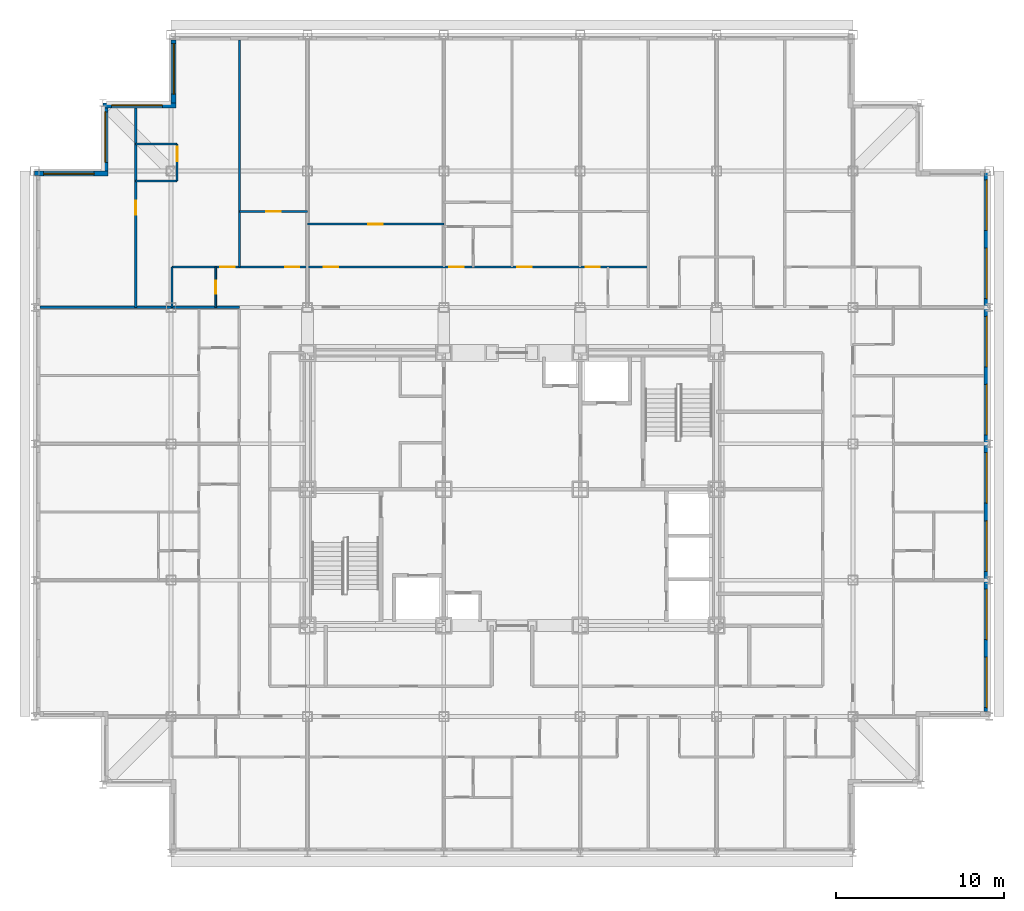
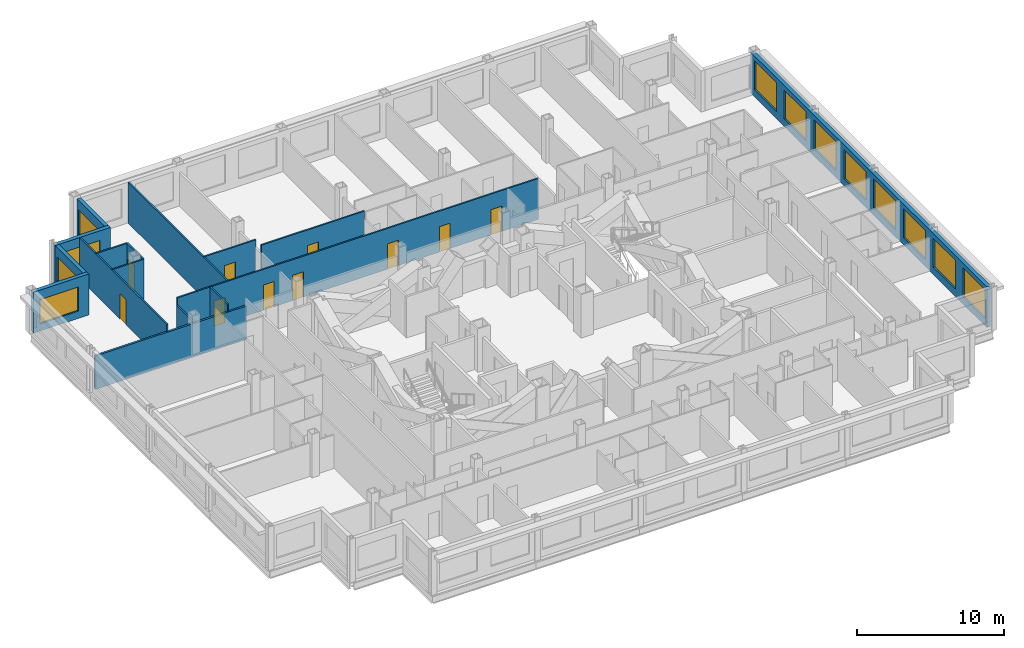
# One storey, part 9 of 12: 16 walls, 12 windows, 11 doors, 23 openings.
"""IFC4 building model written with IfcOpenShell, lengths in metres."""

from ifc_helpers import new_model, si_unit, direction, frame, frame_2d, origin, place, context, subcontext, project, spatial, rectangle, extrude, material, layer, layer_set, type_object, element, fill, save


model = new_model("IFC4")

# Units and contexts
model_context = context("Model", 3, precision=1e-05, world=origin(), true_north=direction((0.0, 1.0)))
body_context = subcontext(model_context, "Body", "Model", "MODEL_VIEW")
ifc_project = project(units=[si_unit("LENGTHUNIT", "METRE"), si_unit("AREAUNIT", "SQUARE_METRE"), si_unit("VOLUMEUNIT", "CUBIC_METRE"), si_unit("PLANEANGLEUNIT", "RADIAN"), si_unit("MASSUNIT", "GRAM", prefix="KILO")], contexts=[model_context])

# Site, building, storey
site_placement = place(None, origin())
site = spatial("IfcSite", under=ifc_project, at=site_placement, CompositionType="ELEMENT")
building_placement = place(site_placement, origin())
building = spatial("IfcBuilding", under=site, at=building_placement, Name="Kopane Lantern Tower", CompositionType="ELEMENT")
storey_placement = place(building_placement, frame((0.0, 0.0, 213.60009765625)))
storey = spatial("IfcBuildingStorey", under=building, at=storey_placement, Name="L55", CompositionType="ELEMENT", Elevation=213.60009765625)

# Wall, openings, doors
ifc_material_1 = material(Name="Gypsum board on steel studs", Category="steel")
ifc_layer_1 = layer(ifc_material_1, 0.1201171875)
ifc_layer_set_1 = layer_set([ifc_layer_1], Name="APARTMENT INTERNAL WALL 120")
wall_type_1 = type_object("IfcWallType", Name="APARTMENT INTERNAL WALL 120", PredefinedType="PARTITIONING", material=ifc_layer_set_1)
wall_1_placement = place(storey_placement, frame((8.14990234375, 45.60009765625, 0.0), z_axis=(0.0, 0.0, 1.0), x_axis=(1.0, 0.0, 0.0)))
wall_1 = element("IfcWall", 1, at=wall_1_placement, inside=storey, type_object=wall_type_1, Name="Apartment Internal Wall 120 L55", PredefinedType="PARTITIONING", context=body_context, shape_type="SweptSolid", body=[
    extrude(rectangle(XDim=28.300048828125, YDim=0.1201171875, at=frame_2d((14.14990234375, 0.0))), origin(), (0.0, 0.0, 1.0), 3.389892578125),
])
opening_1_placement = place(wall_1_placement, frame((9.02490234375, 0.0, 0.0)))
opening_1 = element("IfcOpeningElement", 2, at=opening_1_placement, cuts=wall_1, Name="Opening L55-026", PredefinedType="OPENING", context=body_context, shape_type="SweptSolid", body=[
    extrude(rectangle(XDim=0.85009765625, YDim=2.10009765625, at=frame_2d((0.425048828125, 1.050048828125))), frame((0.0, 0.070068359375, 0.0), z_axis=(0.0, -1.0, 0.0), x_axis=(1.0, 0.0, 0.0)), (0.0, 0.0, 1.0), 0.14013671875),
])
opening_2_placement = place(wall_1_placement, frame((16.47509765625, 0.0, 0.0)))
opening_2 = element("IfcOpeningElement", 3, at=opening_2_placement, cuts=wall_1, Name="Opening L55-028", PredefinedType="OPENING", context=body_context, shape_type="SweptSolid", body=[
    extrude(rectangle(XDim=0.85009765625, YDim=2.10009765625, at=frame_2d((0.425048828125, 1.050048828125))), frame((0.0, 0.070068359375, 0.0), z_axis=(0.0, -1.0, 0.0), x_axis=(1.0, 0.0, 0.0)), (0.0, 0.0, 1.0), 0.14013671875),
])
opening_3_placement = place(wall_1_placement, frame((20.52490234375, 0.0, 0.0)))
opening_3 = element("IfcOpeningElement", 4, at=opening_3_placement, cuts=wall_1, Name="Opening L55-029", PredefinedType="OPENING", context=body_context, shape_type="SweptSolid", body=[
    extrude(rectangle(XDim=0.85009765625, YDim=2.10009765625, at=frame_2d((0.425048828125, 1.050048828125))), frame((0.0, 0.070068359375, 0.0), z_axis=(0.0, -1.0, 0.0), x_axis=(1.0, 0.0, 0.0)), (0.0, 0.0, 1.0), 0.14013671875),
])
opening_4_placement = place(wall_1_placement, frame((24.574951171875, 0.0, 0.0)))
opening_4 = element("IfcOpeningElement", 5, at=opening_4_placement, cuts=wall_1, Name="Opening L55-030", PredefinedType="OPENING", context=body_context, shape_type="SweptSolid", body=[
    extrude(rectangle(XDim=0.85009765625, YDim=2.10009765625, at=frame_2d((0.425048828125, 1.050048828125))), frame((0.0, 0.070068359375, 0.0), z_axis=(0.0, -1.0, 0.0), x_axis=(1.0, 0.0, 0.0)), (0.0, 0.0, 1.0), 0.14013671875),
])
opening_5_placement = place(wall_1_placement, frame((6.72509765625, 0.0, 0.0)))
opening_5 = element("IfcOpeningElement", 6, at=opening_5_placement, cuts=wall_1, Name="Opening L55-066", PredefinedType="OPENING", context=body_context, shape_type="SweptSolid", body=[
    extrude(rectangle(XDim=0.85009765625, YDim=2.10009765625, at=frame_2d((0.425048828125, 1.050048828125))), frame((0.0, 0.070068359375, 0.0), z_axis=(0.0, -1.0, 0.0), x_axis=(1.0, 0.0, 0.0)), (0.0, 0.0, 1.0), 0.14013671875),
])
opening_6_placement = place(wall_1_placement, frame((2.875, 0.0, 0.0)))
opening_6 = element("IfcOpeningElement", 7, at=opening_6_placement, cuts=wall_1, Name="Opening L55-068", PredefinedType="OPENING", context=body_context, shape_type="SweptSolid", body=[
    extrude(rectangle(XDim=0.85009765625, YDim=2.10009765625, at=frame_2d((0.425048828125, 1.050048828125))), frame((0.0, 0.070068359375, 0.0), z_axis=(0.0, -1.0, 0.0), x_axis=(1.0, 0.0, 0.0)), (0.0, 0.0, 1.0), 0.14013671875),
])
ifc_material_2 = material(Name="Timber door set", Category="wood")
door_type_1 = type_object("IfcDoorType", Name="DOOR D4 850x2100", OperationType="SINGLE_SWING_LEFT", PredefinedType="DOOR", material=ifc_material_2)
door_1_placement = place(opening_1_placement, origin())
door_1 = element("IfcDoor", 8, at=door_1_placement, inside=storey, type_object=door_type_1, Name="Door L55-026", OperationType="SINGLE_SWING_LEFT", OverallHeight=2.10009765625, OverallWidth=0.85009765625, PredefinedType="DOOR", context=body_context, shape_type="SweptSolid", body=[
    extrude(rectangle(XDim=0.85009765625, YDim=2.10009765625, at=frame_2d((0.425048828125, 1.050048828125))), frame((0.0, 0.02490234375, 0.0), z_axis=(0.0, -1.0, 0.0), x_axis=(1.0, 0.0, 0.0)), (0.0, 0.0, 1.0), 0.050048828125),
])
fill(opening_1, door_1)
door_2_placement = place(opening_2_placement, origin())
door_2 = element("IfcDoor", 9, at=door_2_placement, inside=storey, type_object=door_type_1, Name="Door L55-028", OperationType="SINGLE_SWING_LEFT", OverallHeight=2.10009765625, OverallWidth=0.85009765625, PredefinedType="DOOR", context=body_context, shape_type="SweptSolid", body=[
    extrude(rectangle(XDim=0.85009765625, YDim=2.10009765625, at=frame_2d((0.425048828125, 1.050048828125))), frame((0.0, 0.02490234375, 0.0), z_axis=(0.0, -1.0, 0.0), x_axis=(1.0, 0.0, 0.0)), (0.0, 0.0, 1.0), 0.050048828125),
])
fill(opening_2, door_2)
door_3_placement = place(opening_3_placement, origin())
door_3 = element("IfcDoor", 10, at=door_3_placement, inside=storey, type_object=door_type_1, Name="Door L55-029", OperationType="SINGLE_SWING_LEFT", OverallHeight=2.10009765625, OverallWidth=0.85009765625, PredefinedType="DOOR", context=body_context, shape_type="SweptSolid", body=[
    extrude(rectangle(XDim=0.85009765625, YDim=2.10009765625, at=frame_2d((0.425048828125, 1.050048828125))), frame((0.0, 0.02490234375, 0.0), z_axis=(0.0, -1.0, 0.0), x_axis=(1.0, 0.0, 0.0)), (0.0, 0.0, 1.0), 0.050048828125),
])
fill(opening_3, door_3)
door_4_placement = place(opening_4_placement, origin())
door_4 = element("IfcDoor", 11, at=door_4_placement, inside=storey, type_object=door_type_1, Name="Door L55-030", OperationType="SINGLE_SWING_LEFT", OverallHeight=2.10009765625, OverallWidth=0.85009765625, PredefinedType="DOOR", context=body_context, shape_type="SweptSolid", body=[
    extrude(rectangle(XDim=0.85009765625, YDim=2.10009765625, at=frame_2d((0.425048828125, 1.050048828125))), frame((0.0, 0.02490234375, 0.0), z_axis=(0.0, -1.0, 0.0), x_axis=(1.0, 0.0, 0.0)), (0.0, 0.0, 1.0), 0.050048828125),
])
fill(opening_4, door_4)
door_5_placement = place(opening_5_placement, origin())
door_5 = element("IfcDoor", 12, at=door_5_placement, inside=storey, type_object=door_type_1, Name="Door L55-066", OperationType="SINGLE_SWING_LEFT", OverallHeight=2.10009765625, OverallWidth=0.85009765625, PredefinedType="DOOR", context=body_context, shape_type="SweptSolid", body=[
    extrude(rectangle(XDim=0.85009765625, YDim=2.10009765625, at=frame_2d((0.425048828125, 1.050048828125))), frame((0.0, 0.02490234375, 0.0), z_axis=(0.0, -1.0, 0.0), x_axis=(1.0, 0.0, 0.0)), (0.0, 0.0, 1.0), 0.050048828125),
])
fill(opening_5, door_5)
door_6_placement = place(opening_6_placement, origin())
door_6 = element("IfcDoor", 13, at=door_6_placement, inside=storey, type_object=door_type_1, Name="Door L55-068", OperationType="SINGLE_SWING_RIGHT", OverallHeight=2.10009765625, OverallWidth=0.85009765625, PredefinedType="DOOR", context=body_context, shape_type="SweptSolid", body=[
    extrude(rectangle(XDim=0.85009765625, YDim=2.10009765625, at=frame_2d((0.425048828125, 1.050048828125))), frame((0.0, 0.02490234375, 0.0), z_axis=(0.0, -1.0, 0.0), x_axis=(1.0, 0.0, 0.0)), (0.0, 0.0, 1.0), 0.050048828125),
])
fill(opening_6, door_6)

# Wall
wall_2_placement = place(storey_placement, frame((12.14990234375, 45.60009765625, 0.0), z_axis=(0.0, 0.0, 1.0), x_axis=(0.0, 1.0, 0.0)))
element("IfcWall", 14, at=wall_2_placement, inside=storey, type_object=wall_type_1, Name="Apartment Internal Wall 120 L55", PredefinedType="PARTITIONING", context=body_context, shape_type="SweptSolid", body=[
    extrude(rectangle(XDim=13.5, YDim=0.1201171875, at=frame_2d((6.75, 0.0))), origin(), (0.0, 0.0, 1.0), 3.389892578125),
])

# Wall, opening, door
wall_3_placement = place(storey_placement, frame((16.199951171875, 48.14990234375, 0.0), z_axis=(0.0, 0.0, 1.0), x_axis=(1.0, 0.0, 0.0)))
wall_3 = element("IfcWall", 15, at=wall_3_placement, inside=storey, type_object=wall_type_1, Name="Apartment Internal Wall 120 L55", PredefinedType="PARTITIONING", context=body_context, shape_type="SweptSolid", body=[
    extrude(rectangle(XDim=8.10009765625, YDim=0.1201171875, at=frame_2d((4.050048828125, 0.0))), origin(), (0.0, 0.0, 1.0), 3.389892578125),
])
opening_7_placement = place(wall_3_placement, frame((3.625, 0.0, 0.0)))
opening_7 = element("IfcOpeningElement", 16, at=opening_7_placement, cuts=wall_3, Name="Opening L55-073", PredefinedType="OPENING", context=body_context, shape_type="SweptSolid", body=[
    extrude(rectangle(XDim=0.85009765625, YDim=2.10009765625, at=frame_2d((0.425048828125, 1.050048828125))), frame((0.0, 0.070068359375, 0.0), z_axis=(0.0, -1.0, 0.0), x_axis=(1.0, 0.0, 0.0)), (0.0, 0.0, 1.0), 0.14013671875),
])
door_7_placement = place(opening_7_placement, origin())
door_7 = element("IfcDoor", 17, at=door_7_placement, inside=storey, type_object=door_type_1, Name="Door L55-073", OperationType="SINGLE_SWING_LEFT", OverallHeight=2.10009765625, OverallWidth=0.85009765625, PredefinedType="DOOR", context=body_context, shape_type="SweptSolid", body=[
    extrude(rectangle(XDim=0.85009765625, YDim=2.10009765625, at=frame_2d((0.425048828125, 1.050048828125))), frame((0.0, 0.02490234375, 0.0), z_axis=(0.0, -1.0, 0.0), x_axis=(1.0, 0.0, 0.0)), (0.0, 0.0, 1.0), 0.050048828125),
])
fill(opening_7, door_7)

wall_4_placement = place(storey_placement, frame((12.14990234375, 48.89990234375, 0.0), z_axis=(0.0, 0.0, 1.0), x_axis=(1.0, 0.0, 0.0)))
wall_4 = element("IfcWall", 18, at=wall_4_placement, inside=storey, type_object=wall_type_1, Name="Apartment Internal Wall 120 L55", PredefinedType="PARTITIONING", context=body_context, shape_type="SweptSolid", body=[
    extrude(rectangle(XDim=4.050048828125, YDim=0.1201171875, at=frame_2d((2.02490234375, 0.0))), origin(), (0.0, 0.0, 1.0), 3.389892578125),
])
opening_8_placement = place(wall_4_placement, frame((1.60009765625, 0.0, 0.0)))
opening_8 = element("IfcOpeningElement", 19, at=opening_8_placement, cuts=wall_4, Name="Opening L55-078", PredefinedType="OPENING", context=body_context, shape_type="SweptSolid", body=[
    extrude(rectangle(XDim=0.85009765625, YDim=2.10009765625, at=frame_2d((0.425048828125, 1.050048828125))), frame((0.0, 0.070068359375, 0.0), z_axis=(0.0, -1.0, 0.0), x_axis=(1.0, 0.0, 0.0)), (0.0, 0.0, 1.0), 0.14013671875),
])
door_8_placement = place(opening_8_placement, origin())
door_8 = element("IfcDoor", 20, at=door_8_placement, inside=storey, type_object=door_type_1, Name="Door L55-078", OperationType="SINGLE_SWING_RIGHT", OverallHeight=2.10009765625, OverallWidth=0.85009765625, PredefinedType="DOOR", context=body_context, shape_type="SweptSolid", body=[
    extrude(rectangle(XDim=0.85009765625, YDim=2.10009765625, at=frame_2d((0.425048828125, 1.050048828125))), frame((0.0, 0.02490234375, 0.0), z_axis=(0.0, -1.0, 0.0), x_axis=(1.0, 0.0, 0.0)), (0.0, 0.0, 1.0), 0.050048828125),
])
fill(opening_8, door_8)

wall_5_placement = place(storey_placement, frame((6.0, 43.199951171875, 0.0), z_axis=(0.0, 0.0, 1.0), x_axis=(0.0, 1.0, 0.0)))
wall_5 = element("IfcWall", 21, at=wall_5_placement, inside=storey, type_object=wall_type_1, Name="Apartment Internal Wall 120 L55", PredefinedType="PARTITIONING", context=body_context, shape_type="SweptSolid", body=[
    extrude(rectangle(XDim=11.85009765625, YDim=0.1201171875, at=frame_2d((5.925048828125, 0.0))), origin(), (0.0, 0.0, 1.0), 3.389892578125),
])
opening_9_placement = place(wall_5_placement, frame((5.5, 0.0, 0.0)))
opening_9 = element("IfcOpeningElement", 22, at=opening_9_placement, cuts=wall_5, Name="Opening L55-079", PredefinedType="OPENING", context=body_context, shape_type="SweptSolid", body=[
    extrude(rectangle(XDim=0.85009765625, YDim=2.10009765625, at=frame_2d((0.425048828125, 1.050048828125))), frame((0.0, 0.070068359375, 0.0), z_axis=(0.0, -1.0, 0.0), x_axis=(1.0, 0.0, 0.0)), (0.0, 0.0, 1.0), 0.14013671875),
])
door_9_placement = place(opening_9_placement, origin())
door_9 = element("IfcDoor", 23, at=door_9_placement, inside=storey, type_object=door_type_1, Name="Door L55-079", OperationType="SINGLE_SWING_LEFT", OverallHeight=2.10009765625, OverallWidth=0.85009765625, PredefinedType="DOOR", context=body_context, shape_type="SweptSolid", body=[
    extrude(rectangle(XDim=0.85009765625, YDim=2.10009765625, at=frame_2d((0.425048828125, 1.050048828125))), frame((0.0, 0.02490234375, 0.0), z_axis=(0.0, -1.0, 0.0), x_axis=(1.0, 0.0, 0.0)), (0.0, 0.0, 1.0), 0.050048828125),
])
fill(opening_9, door_9)

# Walls
for number, where, z_axis, x_axis, name in (
    (24, (6.0, 50.699951171875, 0.0), (0.0, 0.0, 1.0), (1.0, 0.0, 0.0), "Apartment Internal Wall 120 L55"),
    (25, (6.0, 52.89990234375, 0.0), (0.0, 0.0, 1.0), (1.0, 0.0, 0.0), "Apartment Internal Wall 120 L55"),
):
    element("IfcWall", number, at=place(storey_placement, frame(where, z_axis=z_axis, x_axis=x_axis)), inside=storey, type_object=wall_type_1, Name=name, PredefinedType="PARTITIONING", context=body_context, shape_type="SweptSolid", body=[
        extrude(rectangle(XDim=2.4599609375, YDim=0.1201171875, at=frame_2d((1.22998046875, 0.0))), origin(), (0.0, 0.0, 1.0), 3.389892578125),
    ])

# Wall, opening, door
wall_6_placement = place(storey_placement, frame((8.4599609375, 50.699951171875, 0.0), z_axis=(0.0, 0.0, 1.0), x_axis=(0.0, 1.0, 0.0)))
wall_6 = element("IfcWall", 26, at=wall_6_placement, inside=storey, type_object=wall_type_1, Name="Apartment Internal Wall 120 L55", PredefinedType="PARTITIONING", context=body_context, shape_type="SweptSolid", body=[
    extrude(rectangle(XDim=2.199951171875, YDim=0.1201171875, at=frame_2d((1.10009765625, 0.0))), origin(), (0.0, 0.0, 1.0), 3.389892578125),
])
opening_10_placement = place(wall_6_placement, frame((1.18994140625, 0.0, 0.0)))
opening_10 = element("IfcOpeningElement", 27, at=opening_10_placement, cuts=wall_6, Name="Opening L55-080", PredefinedType="OPENING", context=body_context, shape_type="SweptSolid", body=[
    extrude(rectangle(XDim=0.85009765625, YDim=2.10009765625, at=frame_2d((0.425048828125, 1.050048828125))), frame((0.0, 0.070068359375, 0.0), z_axis=(0.0, -1.0, 0.0), x_axis=(1.0, 0.0, 0.0)), (0.0, 0.0, 1.0), 0.14013671875),
])
door_10_placement = place(opening_10_placement, origin())
door_10 = element("IfcDoor", 28, at=door_10_placement, inside=storey, type_object=door_type_1, Name="Door L55-080", OperationType="SINGLE_SWING_RIGHT", OverallHeight=2.10009765625, OverallWidth=0.85009765625, PredefinedType="DOOR", context=body_context, shape_type="SweptSolid", body=[
    extrude(rectangle(XDim=0.85009765625, YDim=2.10009765625, at=frame_2d((0.425048828125, 1.050048828125))), frame((0.0, 0.02490234375, 0.0), z_axis=(0.0, -1.0, 0.0), x_axis=(1.0, 0.0, 0.0)), (0.0, 0.0, 1.0), 0.050048828125),
])
fill(opening_10, door_10)

ifc_material_3 = material(Name="Moisture-resistant board on steel studs", Category="steel")
ifc_layer_2 = layer(ifc_material_3, 0.10009765625)
ifc_layer_set_2 = layer_set([ifc_layer_2], Name="BATHROOM WALL 100")
wall_type_2 = type_object("IfcWallType", Name="BATHROOM WALL 100", PredefinedType="PARTITIONING", material=ifc_layer_set_2)
wall_7_placement = place(storey_placement, frame((10.75, 43.199951171875, 0.0), z_axis=(0.0, 0.0, 1.0), x_axis=(0.0, 1.0, 0.0)))
wall_7 = element("IfcWall", 29, at=wall_7_placement, inside=storey, type_object=wall_type_2, Name="Bathroom Wall 100 L55", PredefinedType="PARTITIONING", context=body_context, shape_type="SweptSolid", body=[
    extrude(rectangle(XDim=2.400146484375, YDim=0.10009765625, at=frame_2d((1.2001953125, 0.0))), origin(), (0.0, 0.0, 1.0), 3.389892578125),
])
opening_11_placement = place(wall_7_placement, frame((0.800048828125, 0.0, 0.0)))
opening_11 = element("IfcOpeningElement", 30, at=opening_11_placement, cuts=wall_7, Name="Opening L55-067", PredefinedType="OPENING", context=body_context, shape_type="SweptSolid", body=[
    extrude(rectangle(XDim=0.800048828125, YDim=2.10009765625, at=frame_2d((0.39990234375, 1.050048828125))), frame((0.0, 0.06005859375, 0.0), z_axis=(0.0, -1.0, 0.0), x_axis=(1.0, 0.0, 0.0)), (0.0, 0.0, 1.0), 0.1201171875),
])
ifc_material_4 = material(Name="Timber door set", Category="wood")
door_type_2 = type_object("IfcDoorType", Name="DOOR D2 800x2100", OperationType="SINGLE_SWING_LEFT", PredefinedType="DOOR", material=ifc_material_4)
door_11_placement = place(opening_11_placement, origin())
door_11 = element("IfcDoor", 31, at=door_11_placement, inside=storey, type_object=door_type_2, Name="Door L55-067", OperationType="SINGLE_SWING_LEFT", OverallHeight=2.10009765625, OverallWidth=0.800048828125, PredefinedType="DOOR", context=body_context, shape_type="SweptSolid", body=[
    extrude(rectangle(XDim=0.800048828125, YDim=2.10009765625, at=frame_2d((0.39990234375, 1.050048828125))), frame((0.0, 0.02490234375, 0.0), z_axis=(0.0, -1.0, 0.0), x_axis=(1.0, 0.0, 0.0)), (0.0, 0.0, 1.0), 0.050048828125),
])
fill(opening_11, door_11)

# Walls
wall_8_placement = place(storey_placement, frame((8.14990234375, 43.199951171875, 0.0), z_axis=(0.0, 0.0, 1.0), x_axis=(0.0, 1.0, 0.0)))
element("IfcWall", 32, at=wall_8_placement, inside=storey, type_object=wall_type_2, Name="Bathroom Wall 100 L55", PredefinedType="PARTITIONING", context=body_context, shape_type="SweptSolid", body=[
    extrude(rectangle(XDim=2.400146484375, YDim=0.10009765625, at=frame_2d((1.2001953125, 0.0))), origin(), (0.0, 0.0, 1.0), 2.777587890625),
])
ifc_material_5 = material(Name="Gypsum board on steel studs", Category="steel")
ifc_layer_3 = layer(ifc_material_5, 0.14990234375)
ifc_layer_set_3 = layer_set([ifc_layer_3], Name="DEMISING WALL 150 EI 60")
wall_type_3 = type_object("IfcWallType", Name="DEMISING WALL 150 EI 60", PredefinedType="PARTITIONING", material=ifc_layer_set_3)
wall_9_placement = place(storey_placement, frame((0.300048828125, 43.199951171875, 0.0), z_axis=(0.0, 0.0, 1.0), x_axis=(1.0, 0.0, 0.0)))
element("IfcWall", 33, at=wall_9_placement, inside=storey, type_object=wall_type_3, Name="Demising Wall 150 Ei 60 L55", PredefinedType="PARTITIONING", context=body_context, shape_type="SweptSolid", body=[
    extrude(rectangle(XDim=11.849853515625, YDim=0.14990234375, at=frame_2d((5.9248046875, 0.0))), origin(), (0.0, 0.0, 1.0), 2.777587890625),
])

# Wall, openings, windows
ifc_material_6 = material(Name="Terracotta rainscreen on light steel framing", Category="masonry")
ifc_layer_4 = layer(ifc_material_6, 0.300048828125)
ifc_layer_set_4 = layer_set([ifc_layer_4], Name="EXTERNAL WALL EW1 300 TERRACOTTA")
wall_type_4 = type_object("IfcWallType", Name="EXTERNAL WALL EW1 300 TERRACOTTA", PredefinedType="SOLIDWALL", material=ifc_layer_set_4)
wall_10_placement = place(storey_placement, frame((56.550048828125, 19.199951171875, 0.0), z_axis=(0.0, 0.0, 1.0), x_axis=(0.0, 1.0, 0.0)))
wall_10 = element("IfcWall", 34, at=wall_10_placement, inside=storey, type_object=wall_type_4, Name="External wall E L55", PredefinedType="SOLIDWALL", context=body_context, shape_type="SweptSolid", body=[
    extrude(rectangle(XDim=32.10009765625, YDim=0.300048828125, at=frame_2d((16.050048828125, 0.0))), origin(), (0.0, 0.0, 1.0), 3.389892578125),
])
opening_12_placement = place(wall_10_placement, frame((0.22509765625, 0.0, 0.60009765625)))
opening_12 = element("IfcOpeningElement", 35, at=opening_12_placement, cuts=wall_10, Name="Opening WR300240", PredefinedType="OPENING", context=body_context, shape_type="SweptSolid", body=[
    extrude(rectangle(XDim=3.0, YDim=2.39990234375, at=frame_2d((1.5, 1.199951171875))), frame((0.0, 0.159912109375, 0.0), z_axis=(0.0, -1.0, 0.0), x_axis=(1.0, 0.0, 0.0)), (0.0, 0.0, 1.0), 0.320068359375),
])
opening_13_placement = place(wall_10_placement, frame((4.27490234375, 0.0, 0.60009765625)))
opening_13 = element("IfcOpeningElement", 36, at=opening_13_placement, cuts=wall_10, Name="Opening WR300240", PredefinedType="OPENING", context=body_context, shape_type="SweptSolid", body=[
    extrude(rectangle(XDim=3.0, YDim=2.39990234375, at=frame_2d((1.5, 1.199951171875))), frame((0.0, 0.159912109375, 0.0), z_axis=(0.0, -1.0, 0.0), x_axis=(1.0, 0.0, 0.0)), (0.0, 0.0, 1.0), 0.320068359375),
])
opening_14_placement = place(wall_10_placement, frame((8.324951171875, 0.0, 0.60009765625)))
opening_14 = element("IfcOpeningElement", 37, at=opening_14_placement, cuts=wall_10, Name="Opening WR300240", PredefinedType="OPENING", context=body_context, shape_type="SweptSolid", body=[
    extrude(rectangle(XDim=3.0, YDim=2.39990234375, at=frame_2d((1.5, 1.199951171875))), frame((0.0, 0.159912109375, 0.0), z_axis=(0.0, -1.0, 0.0), x_axis=(1.0, 0.0, 0.0)), (0.0, 0.0, 1.0), 0.320068359375),
])
opening_15_placement = place(wall_10_placement, frame((12.375, 0.0, 0.60009765625)))
opening_15 = element("IfcOpeningElement", 38, at=opening_15_placement, cuts=wall_10, Name="Opening WR300240", PredefinedType="OPENING", context=body_context, shape_type="SweptSolid", body=[
    extrude(rectangle(XDim=3.0, YDim=2.39990234375, at=frame_2d((1.5, 1.199951171875))), frame((0.0, 0.159912109375, 0.0), z_axis=(0.0, -1.0, 0.0), x_axis=(1.0, 0.0, 0.0)), (0.0, 0.0, 1.0), 0.320068359375),
])
opening_16_placement = place(wall_10_placement, frame((16.425048828125, 0.0, 0.60009765625)))
opening_16 = element("IfcOpeningElement", 39, at=opening_16_placement, cuts=wall_10, Name="Opening WR300240", PredefinedType="OPENING", context=body_context, shape_type="SweptSolid", body=[
    extrude(rectangle(XDim=3.0, YDim=2.39990234375, at=frame_2d((1.5, 1.199951171875))), frame((0.0, 0.159912109375, 0.0), z_axis=(0.0, -1.0, 0.0), x_axis=(1.0, 0.0, 0.0)), (0.0, 0.0, 1.0), 0.320068359375),
])
opening_17_placement = place(wall_10_placement, frame((20.47509765625, 0.0, 0.60009765625)))
opening_17 = element("IfcOpeningElement", 40, at=opening_17_placement, cuts=wall_10, Name="Opening WR300240", PredefinedType="OPENING", context=body_context, shape_type="SweptSolid", body=[
    extrude(rectangle(XDim=3.0, YDim=2.39990234375, at=frame_2d((1.5, 1.199951171875))), frame((0.0, 0.159912109375, 0.0), z_axis=(0.0, -1.0, 0.0), x_axis=(1.0, 0.0, 0.0)), (0.0, 0.0, 1.0), 0.320068359375),
])
opening_18_placement = place(wall_10_placement, frame((24.52490234375, 0.0, 0.60009765625)))
opening_18 = element("IfcOpeningElement", 41, at=opening_18_placement, cuts=wall_10, Name="Opening WR300240", PredefinedType="OPENING", context=body_context, shape_type="SweptSolid", body=[
    extrude(rectangle(XDim=3.0, YDim=2.39990234375, at=frame_2d((1.5, 1.199951171875))), frame((0.0, 0.159912109375, 0.0), z_axis=(0.0, -1.0, 0.0), x_axis=(1.0, 0.0, 0.0)), (0.0, 0.0, 1.0), 0.320068359375),
])
opening_19_placement = place(wall_10_placement, frame((28.574951171875, 0.0, 0.60009765625)))
opening_19 = element("IfcOpeningElement", 42, at=opening_19_placement, cuts=wall_10, Name="Opening WR300240", PredefinedType="OPENING", context=body_context, shape_type="SweptSolid", body=[
    extrude(rectangle(XDim=3.0, YDim=2.39990234375, at=frame_2d((1.5, 1.199951171875))), frame((0.0, 0.159912109375, 0.0), z_axis=(0.0, -1.0, 0.0), x_axis=(1.0, 0.0, 0.0)), (0.0, 0.0, 1.0), 0.320068359375),
])
ifc_material_7 = material(Name="Aluminium and clear glass", Category="aluminium")
window_type_1 = type_object("IfcWindowType", Name="RIBBON WINDOW WR300240 3000x2400", PartitioningType="SINGLE_PANEL", PredefinedType="WINDOW", material=ifc_material_7)
window_1_placement = place(opening_12_placement, origin())
window_1 = element("IfcWindow", 43, at=window_1_placement, inside=storey, type_object=window_type_1, Name="Window E L55", OverallHeight=2.39990234375, OverallWidth=3.0, PartitioningType="SINGLE_PANEL", PredefinedType="WINDOW", context=body_context, shape_type="SweptSolid", body=[
    extrude(rectangle(XDim=3.0, YDim=2.39990234375, at=frame_2d((1.5, 1.199951171875))), frame((0.0, 0.030029296875, 0.0), z_axis=(0.0, -1.0, 0.0), x_axis=(1.0, 0.0, 0.0)), (0.0, 0.0, 1.0), 0.06005859375),
])
fill(opening_12, window_1)
window_2_placement = place(opening_13_placement, origin())
window_2 = element("IfcWindow", 44, at=window_2_placement, inside=storey, type_object=window_type_1, Name="Window E L55", OverallHeight=2.39990234375, OverallWidth=3.0, PartitioningType="SINGLE_PANEL", PredefinedType="WINDOW", context=body_context, shape_type="SweptSolid", body=[
    extrude(rectangle(XDim=3.0, YDim=2.39990234375, at=frame_2d((1.5, 1.199951171875))), frame((0.0, 0.030029296875, 0.0), z_axis=(0.0, -1.0, 0.0), x_axis=(1.0, 0.0, 0.0)), (0.0, 0.0, 1.0), 0.06005859375),
])
fill(opening_13, window_2)
window_3_placement = place(opening_14_placement, origin())
window_3 = element("IfcWindow", 45, at=window_3_placement, inside=storey, type_object=window_type_1, Name="Window E L55", OverallHeight=2.39990234375, OverallWidth=3.0, PartitioningType="SINGLE_PANEL", PredefinedType="WINDOW", context=body_context, shape_type="SweptSolid", body=[
    extrude(rectangle(XDim=3.0, YDim=2.39990234375, at=frame_2d((1.5, 1.199951171875))), frame((0.0, 0.030029296875, 0.0), z_axis=(0.0, -1.0, 0.0), x_axis=(1.0, 0.0, 0.0)), (0.0, 0.0, 1.0), 0.06005859375),
])
fill(opening_14, window_3)
window_4_placement = place(opening_15_placement, origin())
window_4 = element("IfcWindow", 46, at=window_4_placement, inside=storey, type_object=window_type_1, Name="Window E L55", OverallHeight=2.39990234375, OverallWidth=3.0, PartitioningType="SINGLE_PANEL", PredefinedType="WINDOW", context=body_context, shape_type="SweptSolid", body=[
    extrude(rectangle(XDim=3.0, YDim=2.39990234375, at=frame_2d((1.5, 1.199951171875))), frame((0.0, 0.030029296875, 0.0), z_axis=(0.0, -1.0, 0.0), x_axis=(1.0, 0.0, 0.0)), (0.0, 0.0, 1.0), 0.06005859375),
])
fill(opening_15, window_4)
window_5_placement = place(opening_16_placement, origin())
window_5 = element("IfcWindow", 47, at=window_5_placement, inside=storey, type_object=window_type_1, Name="Window E L55", OverallHeight=2.39990234375, OverallWidth=3.0, PartitioningType="SINGLE_PANEL", PredefinedType="WINDOW", context=body_context, shape_type="SweptSolid", body=[
    extrude(rectangle(XDim=3.0, YDim=2.39990234375, at=frame_2d((1.5, 1.199951171875))), frame((0.0, 0.030029296875, 0.0), z_axis=(0.0, -1.0, 0.0), x_axis=(1.0, 0.0, 0.0)), (0.0, 0.0, 1.0), 0.06005859375),
])
fill(opening_16, window_5)
window_6_placement = place(opening_17_placement, origin())
window_6 = element("IfcWindow", 48, at=window_6_placement, inside=storey, type_object=window_type_1, Name="Window E L55", OverallHeight=2.39990234375, OverallWidth=3.0, PartitioningType="SINGLE_PANEL", PredefinedType="WINDOW", context=body_context, shape_type="SweptSolid", body=[
    extrude(rectangle(XDim=3.0, YDim=2.39990234375, at=frame_2d((1.5, 1.199951171875))), frame((0.0, 0.030029296875, 0.0), z_axis=(0.0, -1.0, 0.0), x_axis=(1.0, 0.0, 0.0)), (0.0, 0.0, 1.0), 0.06005859375),
])
fill(opening_17, window_6)
window_7_placement = place(opening_18_placement, origin())
window_7 = element("IfcWindow", 49, at=window_7_placement, inside=storey, type_object=window_type_1, Name="Window E L55", OverallHeight=2.39990234375, OverallWidth=3.0, PartitioningType="SINGLE_PANEL", PredefinedType="WINDOW", context=body_context, shape_type="SweptSolid", body=[
    extrude(rectangle(XDim=3.0, YDim=2.39990234375, at=frame_2d((1.5, 1.199951171875))), frame((0.0, 0.030029296875, 0.0), z_axis=(0.0, -1.0, 0.0), x_axis=(1.0, 0.0, 0.0)), (0.0, 0.0, 1.0), 0.06005859375),
])
fill(opening_18, window_7)
window_8_placement = place(opening_19_placement, origin())
window_8 = element("IfcWindow", 50, at=window_8_placement, inside=storey, type_object=window_type_1, Name="Window E L55", OverallHeight=2.39990234375, OverallWidth=3.0, PartitioningType="SINGLE_PANEL", PredefinedType="WINDOW", context=body_context, shape_type="SweptSolid", body=[
    extrude(rectangle(XDim=3.0, YDim=2.39990234375, at=frame_2d((1.5, 1.199951171875))), frame((0.0, 0.030029296875, 0.0), z_axis=(0.0, -1.0, 0.0), x_axis=(1.0, 0.0, 0.0)), (0.0, 0.0, 1.0), 0.06005859375),
])
fill(opening_19, window_8)

# Wall, opening, window
wall_11_placement = place(storey_placement, frame((8.25, 59.10009765625, 0.0), z_axis=(0.0, 0.0, 1.0), x_axis=(0.0, -1.0, 0.0)))
wall_11 = element("IfcWall", 51, at=wall_11_placement, inside=storey, type_object=wall_type_4, Name="External wall W L55", PredefinedType="SOLIDWALL", context=body_context, shape_type="SweptSolid", body=[
    extrude(rectangle(XDim=3.75, YDim=0.300048828125, at=frame_2d((1.875, 0.0))), origin(), (0.0, 0.0, 1.0), 3.389892578125),
])
opening_20_placement = place(wall_11_placement, frame((0.22509765625, 0.0, 0.60009765625)))
opening_20 = element("IfcOpeningElement", 52, at=opening_20_placement, cuts=wall_11, Name="Opening WR300200", PredefinedType="OPENING", context=body_context, shape_type="SweptSolid", body=[
    extrude(rectangle(XDim=3.0, YDim=2.0, at=frame_2d((1.5, 1.0))), frame((0.0, 0.159912109375, 0.0), z_axis=(0.0, -1.0, 0.0), x_axis=(1.0, 0.0, 0.0)), (0.0, 0.0, 1.0), 0.320068359375),
])
ifc_material_8 = material(Name="Aluminium and clear glass", Category="aluminium")
window_type_2 = type_object("IfcWindowType", Name="RIBBON WINDOW WR300200 3000x2000", PartitioningType="SINGLE_PANEL", PredefinedType="WINDOW", material=ifc_material_8)
window_9_placement = place(opening_20_placement, origin())
window_9 = element("IfcWindow", 53, at=window_9_placement, inside=storey, type_object=window_type_2, Name="Window W L55", OverallHeight=2.0, OverallWidth=3.0, PartitioningType="SINGLE_PANEL", PredefinedType="WINDOW", context=body_context, shape_type="SweptSolid", body=[
    extrude(rectangle(XDim=3.0, YDim=2.0, at=frame_2d((1.5, 1.0))), frame((0.0, 0.030029296875, 0.0), z_axis=(0.0, -1.0, 0.0), x_axis=(1.0, 0.0, 0.0)), (0.0, 0.0, 1.0), 0.06005859375),
])
fill(opening_20, window_9)

wall_12_placement = place(storey_placement, frame((8.39990234375, 55.199951171875, 0.0), z_axis=(0.0, 0.0, 1.0), x_axis=(-1.0, 0.0, 0.0)))
wall_12 = element("IfcWall", 54, at=wall_12_placement, inside=storey, type_object=wall_type_4, Name="External wall N L55", PredefinedType="SOLIDWALL", context=body_context, shape_type="SweptSolid", body=[
    extrude(rectangle(XDim=4.349853515625, YDim=0.300048828125, at=frame_2d((2.1748046875, 0.0))), origin(), (0.0, 0.0, 1.0), 3.389892578125),
])
opening_21_placement = place(wall_12_placement, frame((0.824951171875, 0.0, 0.60009765625)))
opening_21 = element("IfcOpeningElement", 55, at=opening_21_placement, cuts=wall_12, Name="Opening WR300200", PredefinedType="OPENING", context=body_context, shape_type="SweptSolid", body=[
    extrude(rectangle(XDim=3.0, YDim=2.0, at=frame_2d((1.5, 1.0))), frame((0.0, 0.159912109375, 0.0), z_axis=(0.0, -1.0, 0.0), x_axis=(1.0, 0.0, 0.0)), (0.0, 0.0, 1.0), 0.320068359375),
])
window_10_placement = place(opening_21_placement, origin())
window_10 = element("IfcWindow", 56, at=window_10_placement, inside=storey, type_object=window_type_2, Name="Window N L55", OverallHeight=2.0, OverallWidth=3.0, PartitioningType="SINGLE_PANEL", PredefinedType="WINDOW", context=body_context, shape_type="SweptSolid", body=[
    extrude(rectangle(XDim=3.0, YDim=2.0, at=frame_2d((1.5, 1.0))), frame((0.0, 0.030029296875, 0.0), z_axis=(0.0, -1.0, 0.0), x_axis=(1.0, 0.0, 0.0)), (0.0, 0.0, 1.0), 0.06005859375),
])
fill(opening_21, window_10)

wall_13_placement = place(storey_placement, frame((4.199951171875, 55.050048828125, 0.0), z_axis=(0.0, 0.0, 1.0), x_axis=(0.0, -1.0, 0.0)))
wall_13 = element("IfcWall", 57, at=wall_13_placement, inside=storey, type_object=wall_type_4, Name="External wall W L55", PredefinedType="SOLIDWALL", context=body_context, shape_type="SweptSolid", body=[
    extrude(rectangle(XDim=3.75, YDim=0.300048828125, at=frame_2d((1.875, 0.0))), origin(), (0.0, 0.0, 1.0), 3.389892578125),
])
opening_22_placement = place(wall_13_placement, frame((0.22509765625, 0.0, 0.60009765625)))
opening_22 = element("IfcOpeningElement", 58, at=opening_22_placement, cuts=wall_13, Name="Opening WR300200", PredefinedType="OPENING", context=body_context, shape_type="SweptSolid", body=[
    extrude(rectangle(XDim=3.0, YDim=2.0, at=frame_2d((1.5, 1.0))), frame((0.0, 0.159912109375, 0.0), z_axis=(0.0, -1.0, 0.0), x_axis=(1.0, 0.0, 0.0)), (0.0, 0.0, 1.0), 0.320068359375),
])
window_11_placement = place(opening_22_placement, origin())
window_11 = element("IfcWindow", 59, at=window_11_placement, inside=storey, type_object=window_type_2, Name="Window W L55", OverallHeight=2.0, OverallWidth=3.0, PartitioningType="SINGLE_PANEL", PredefinedType="WINDOW", context=body_context, shape_type="SweptSolid", body=[
    extrude(rectangle(XDim=3.0, YDim=2.0, at=frame_2d((1.5, 1.0))), frame((0.0, 0.030029296875, 0.0), z_axis=(0.0, -1.0, 0.0), x_axis=(1.0, 0.0, 0.0)), (0.0, 0.0, 1.0), 0.06005859375),
])
fill(opening_22, window_11)

wall_14_placement = place(storey_placement, frame((4.35009765625, 51.14990234375, 0.0), z_axis=(0.0, 0.0, 1.0), x_axis=(-1.0, 0.0, 0.0)))
wall_14 = element("IfcWall", 60, at=wall_14_placement, inside=storey, type_object=wall_type_4, Name="External wall N L55", PredefinedType="SOLIDWALL", context=body_context, shape_type="SweptSolid", body=[
    extrude(rectangle(XDim=4.35009765625, YDim=0.300048828125, at=frame_2d((2.175048828125, 0.0))), origin(), (0.0, 0.0, 1.0), 3.389892578125),
])
opening_23_placement = place(wall_14_placement, frame((0.824951171875, 0.0, 0.60009765625)))
opening_23 = element("IfcOpeningElement", 61, at=opening_23_placement, cuts=wall_14, Name="Opening WR300200", PredefinedType="OPENING", context=body_context, shape_type="SweptSolid", body=[
    extrude(rectangle(XDim=3.0, YDim=2.0, at=frame_2d((1.5, 1.0))), frame((0.0, 0.159912109375, 0.0), z_axis=(0.0, -1.0, 0.0), x_axis=(1.0, 0.0, 0.0)), (0.0, 0.0, 1.0), 0.320068359375),
])
window_12_placement = place(opening_23_placement, origin())
window_12 = element("IfcWindow", 62, at=window_12_placement, inside=storey, type_object=window_type_2, Name="Window N L55", OverallHeight=2.0, OverallWidth=3.0, PartitioningType="SINGLE_PANEL", PredefinedType="WINDOW", context=body_context, shape_type="SweptSolid", body=[
    extrude(rectangle(XDim=3.0, YDim=2.0, at=frame_2d((1.5, 1.0))), frame((0.0, 0.030029296875, 0.0), z_axis=(0.0, -1.0, 0.0), x_axis=(1.0, 0.0, 0.0)), (0.0, 0.0, 1.0), 0.06005859375),
])
fill(opening_23, window_12)

save(model, "model.ifc")
